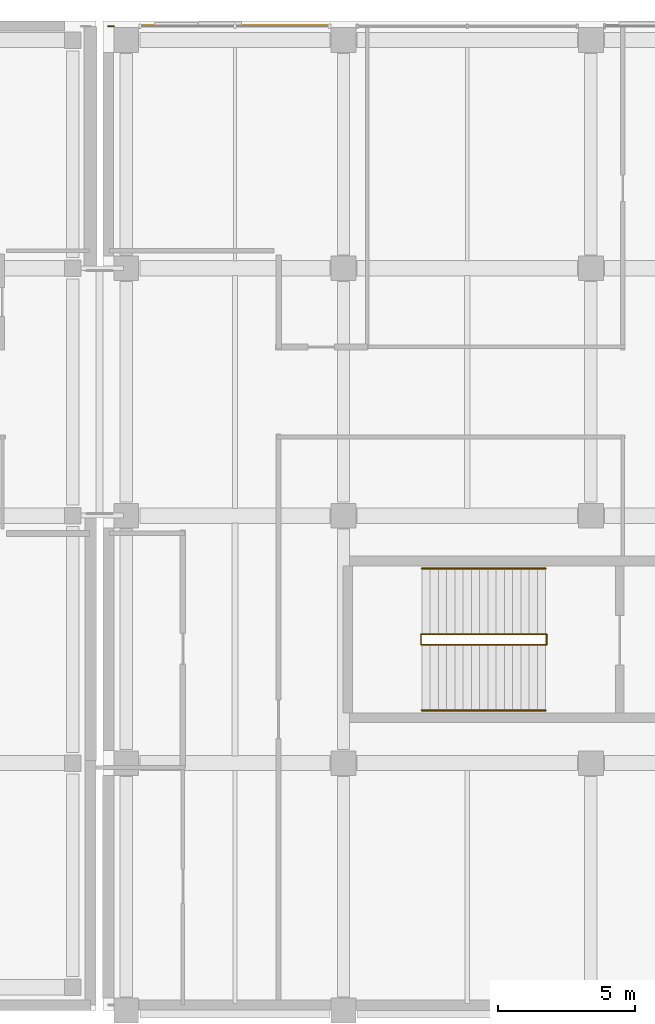
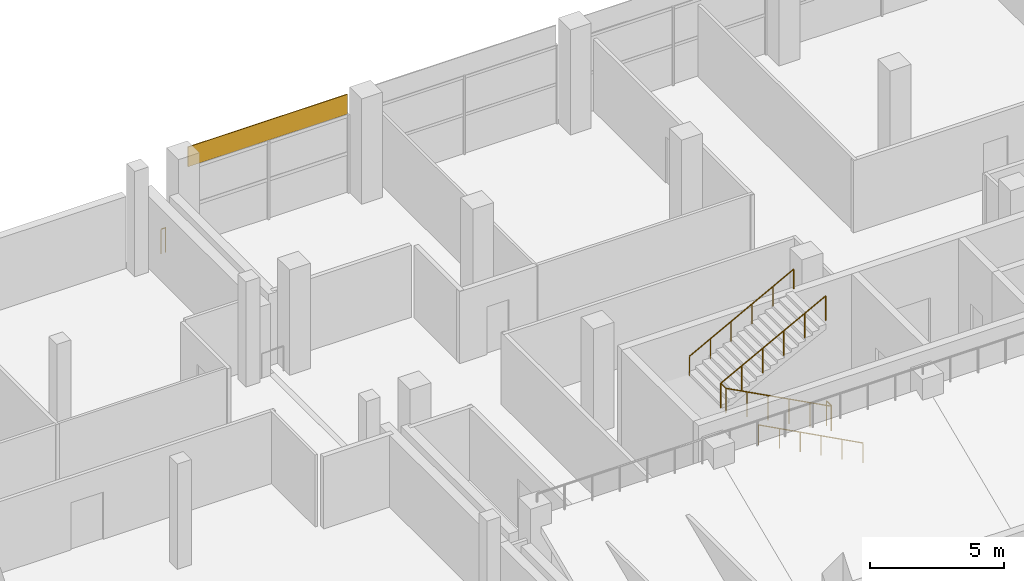
# One storey, part 97 of 100: 5 railings, 1 covering.
"""IFC4 building model written with IfcOpenShell, lengths in metres."""

from ifc_helpers import new_model, si_unit, direction, frame, origin, origin_2d, place, context, subcontext, project, spatial, rectangle, circle, extrude, material, layer, layer_set, type_object, element, save


model = new_model("IFC4")

# Units and contexts
model_context = context("Model", 3, precision=1e-05, world=origin(), true_north=direction((0.0, 1.0)))
body_context = subcontext(model_context, "Body", "Model", "MODEL_VIEW")
ifc_project = project(units=[si_unit("LENGTHUNIT", "METRE"), si_unit("AREAUNIT", "SQUARE_METRE"), si_unit("VOLUMEUNIT", "CUBIC_METRE"), si_unit("PLANEANGLEUNIT", "RADIAN"), si_unit("MASSUNIT", "GRAM", prefix="KILO"), si_unit("THERMODYNAMICTEMPERATUREUNIT", "KELVIN"), si_unit("POWERUNIT", "WATT")], contexts=[model_context])

# Site, building, storey
site_placement = place(None, origin())
site = spatial("IfcSite", under=ifc_project, at=site_placement, CompositionType="ELEMENT")
building_placement = place(site_placement, origin())
building = spatial("IfcBuilding", under=site, at=building_placement, Name="Sindhuravela Promenade Stadium", CompositionType="ELEMENT")
storey_placement = place(building_placement, frame((0.0, 0.0, 4.800048828125)))
storey = spatial("IfcBuildingStorey", under=building, at=storey_placement, Name="L01", CompositionType="ELEMENT", Elevation=4.800048828125)

# Covering
ifc_material_1 = material(Name="Polychrome trencadis ceramic mosaic", Category="masonry")
ifc_layer = layer(ifc_material_1, 0.034912109375)
ifc_layer_set = layer_set([ifc_layer], Name="Polychrome trencadis ceramic mosaic")
covering_type = type_object("IfcCoveringType", Name="CV-TRENC-1", PredefinedType="CLADDING", material=ifc_layer_set)
covering_placement = place(storey_placement, frame((59.050048828125, 161.820068359375, 3.55517578125), z_axis=(0.0, 0.0, 1.0), x_axis=(1.0, 0.0, 0.0)))
element("IfcCovering", 1, at=covering_placement, inside=storey, type_object=covering_type, Name="Trencadis ceramic mosaic spandrel frieze NORTH L01-254", PredefinedType="CLADDING", context=body_context, shape_type="SweptSolid", body=[
    extrude(rectangle(XDim=6.8701171875, YDim=0.034912109375, at=origin_2d()), origin(), (0.0, 0.0, 1.0), 0.905029296875),
])

# Railings
ifc_material_2 = material(Name="Architectural wrought steel E350", Category="steel")
railing_type_1 = type_object("IfcRailingType", Name="RL-GRD-1150", PredefinedType="GUARDRAIL", material=ifc_material_2)
railing_1_placement = place(storey_placement, frame((54.449951171875, 161.800048828125, 0.0)))
element("IfcRailing", 2, at=railing_1_placement, inside=storey, type_object=railing_type_1, Name="Perimeter edge return guard NORTH L01", PredefinedType="GUARDRAIL", context=body_context, shape_type="SweptSolid", body=[
    extrude(circle(Radius=0.02392578125, at=origin_2d()), frame((0.0, 0.0, 1.1259765625), z_axis=(1.0, 0.0, 0.0), x_axis=(0.0, 1.0, 0.0)), (0.0, 0.0, 1.0), 0.195068359375),
    extrude(circle(Radius=0.02099609375, at=origin_2d()), origin(), (0.0, 0.0, 1.0), 1.101806640625),
    extrude(circle(Radius=0.02099609375, at=origin_2d()), frame((0.195068359375, 0.0, 0.0)), (0.0, 0.0, 1.0), 1.101806640625),
])
railing_2_placement = place(storey_placement, frame((70.35009765625, 139.31005859375, 0.0)))
element("IfcRailing", 3, at=railing_2_placement, inside=storey, type_object=railing_type_1, Name="Stair ST09 inner well guard (L01)", PredefinedType="GUARDRAIL", context=body_context, shape_type="SweptSolid", body=[
    extrude(circle(Radius=0.02392578125, at=origin_2d()), frame((0.0, 0.0, 1.1259765625), z_axis=(-0.8836546633431795, 0.0, 0.46813933390802775), x_axis=(0.0, -1.0, 0.0)), (0.0, 0.0, 1.0), 5.12646484375),
    extrude(circle(Radius=0.02392578125, at=origin_2d()), frame((-4.530029296875, 0.0, 3.52587890625), z_axis=(0.0, 1.0, 0.0), x_axis=(-1.0, 0.0, 0.0)), (0.0, 0.0, 1.0), 0.3798828125),
    extrude(circle(Radius=0.02392578125, at=origin_2d()), frame((-4.530029296875, 0.3798828125, 3.52587890625), z_axis=(0.8836349624059475, 0.0, 0.46817651928929505), x_axis=(0.0, 1.0, 0.0)), (0.0, 0.0, 1.0), 5.12646484375),
    extrude(circle(Radius=0.02099609375, at=origin_2d()), origin(), (0.0, 0.0, 1.0), 1.101806640625),
    extrude(circle(Radius=0.02099609375, at=origin_2d()), frame((-0.906005859375, 0.0, 0.47998046875)), (0.0, 0.0, 1.0), 1.101806640625),
    extrude(circle(Radius=0.02099609375, at=origin_2d()), frame((-1.81201171875, 0.0, 0.9599609375)), (0.0, 0.0, 1.0), 1.101806640625),
    extrude(circle(Radius=0.02099609375, at=origin_2d()), frame((-2.718017578125, 0.0, 1.43994140625)), (0.0, 0.0, 1.0), 1.101806640625),
    extrude(circle(Radius=0.02099609375, at=origin_2d()), frame((-3.6240234375, 0.0, 1.919921875)), (0.0, 0.0, 1.0), 1.101806640625),
    extrude(circle(Radius=0.02099609375, at=origin_2d()), frame((-4.530029296875, 0.0, 2.39990234375)), (0.0, 0.0, 1.0), 1.101806640625),
    extrude(circle(Radius=0.02099609375, at=origin_2d()), frame((-4.530029296875, 0.3798828125, 2.39990234375)), (0.0, 0.0, 1.0), 1.101806640625),
    extrude(circle(Radius=0.02099609375, at=origin_2d()), frame((-3.6240234375, 0.3798828125, 2.8798828125)), (0.0, 0.0, 1.0), 1.101806640625),
    extrude(circle(Radius=0.02099609375, at=origin_2d()), frame((-2.718017578125, 0.3798828125, 3.35986328125)), (0.0, 0.0, 1.0), 1.101806640625),
    extrude(circle(Radius=0.02099609375, at=origin_2d()), frame((-1.81201171875, 0.3798828125, 3.840087890625)), (0.0, 0.0, 1.0), 1.101806640625),
    extrude(circle(Radius=0.02099609375, at=origin_2d()), frame((-0.906005859375, 0.3798828125, 4.320068359375)), (0.0, 0.0, 1.0), 1.101806640625),
    extrude(circle(Radius=0.02099609375, at=origin_2d()), frame((0.0, 0.3798828125, 4.800048828125)), (0.0, 0.0, 1.0), 1.101806640625),
])
railing_3_placement = place(storey_placement, frame((70.3798828125, 139.31005859375, 0.0)))
element("IfcRailing", 4, at=railing_3_placement, inside=storey, type_object=railing_type_1, Name="Stair ST09 landing well slot guard (L01)", PredefinedType="GUARDRAIL", context=body_context, shape_type="SweptSolid", body=[
    extrude(circle(Radius=0.02392578125, at=origin_2d()), frame((0.0, 0.0, 1.1259765625), z_axis=(0.0, 1.0, 0.0), x_axis=(-1.0, 0.0, 0.0)), (0.0, 0.0, 1.0), 0.3798828125),
    extrude(circle(Radius=0.02099609375, at=origin_2d()), origin(), (0.0, 0.0, 1.0), 1.101806640625),
    extrude(circle(Radius=0.02099609375, at=origin_2d()), frame((0.0, 0.3798828125, 0.0)), (0.0, 0.0, 1.0), 1.101806640625),
])
railing_type_2 = type_object("IfcRailingType", Name="RL-HND-920", PredefinedType="HANDRAIL", material=ifc_material_2)
railing_4_placement = place(storey_placement, frame((70.35009765625, 136.919921875, 0.0)))
element("IfcRailing", 5, at=railing_4_placement, inside=storey, type_object=railing_type_2, Name="Stair ST09 lower wall handrail (L01)", PredefinedType="HANDRAIL", context=body_context, shape_type="SweptSolid", body=[
    extrude(circle(Radius=0.02392578125, at=origin_2d()), frame((0.0, 0.0, 0.89599609375), z_axis=(-0.8823608919668723, 0.0, 0.4705733272588083), x_axis=(0.0, -1.0, 0.0)), (0.0, 0.0, 1.0), 5.099853515625),
    extrude(circle(Radius=0.02099609375, at=origin_2d()), origin(), (0.0, 0.0, 1.0), 0.871826171875),
    extrude(circle(Radius=0.02099609375, at=origin_2d()), frame((-0.89990234375, 0.0, 0.47998046875)), (0.0, 0.0, 1.0), 0.871826171875),
    extrude(circle(Radius=0.02099609375, at=origin_2d()), frame((-1.800048828125, 0.0, 0.9599609375)), (0.0, 0.0, 1.0), 0.871826171875),
    extrude(circle(Radius=0.02099609375, at=origin_2d()), frame((-2.699951171875, 0.0, 1.43994140625)), (0.0, 0.0, 1.0), 0.871826171875),
    extrude(circle(Radius=0.02099609375, at=origin_2d()), frame((-3.60009765625, 0.0, 1.919921875)), (0.0, 0.0, 1.0), 0.871826171875),
    extrude(circle(Radius=0.02099609375, at=origin_2d()), frame((-4.5, 0.0, 2.39990234375)), (0.0, 0.0, 1.0), 0.871826171875),
])
railing_5_placement = place(storey_placement, frame((65.85009765625, 142.080078125, 2.39990234375)))
element("IfcRailing", 6, at=railing_5_placement, inside=storey, type_object=railing_type_2, Name="Stair ST09 upper wall handrail (L01)", PredefinedType="HANDRAIL", context=body_context, shape_type="SweptSolid", body=[
    extrude(circle(Radius=0.02392578125, at=origin_2d()), frame((0.0, 0.0, 0.89599609375), z_axis=(0.8823410147872734, 0.0, 0.47061059659145427), x_axis=(0.0, 1.0, 0.0)), (0.0, 0.0, 1.0), 5.10009765625),
    extrude(circle(Radius=0.02099609375, at=origin_2d()), origin(), (0.0, 0.0, 1.0), 0.871826171875),
    extrude(circle(Radius=0.02099609375, at=origin_2d()), frame((0.89990234375, 0.0, 0.47998046875)), (0.0, 0.0, 1.0), 0.871826171875),
    extrude(circle(Radius=0.02099609375, at=origin_2d()), frame((1.800048828125, 0.0, 0.9599609375)), (0.0, 0.0, 1.0), 0.871826171875),
    extrude(circle(Radius=0.02099609375, at=origin_2d()), frame((2.699951171875, 0.0, 1.440185546875)), (0.0, 0.0, 1.0), 0.871826171875),
    extrude(circle(Radius=0.02099609375, at=origin_2d()), frame((3.60009765625, 0.0, 1.920166015625)), (0.0, 0.0, 1.0), 0.871826171875),
    extrude(circle(Radius=0.02099609375, at=origin_2d()), frame((4.5, 0.0, 2.400146484375)), (0.0, 0.0, 1.0), 0.871826171875),
])

save(model, "model.ifc")
